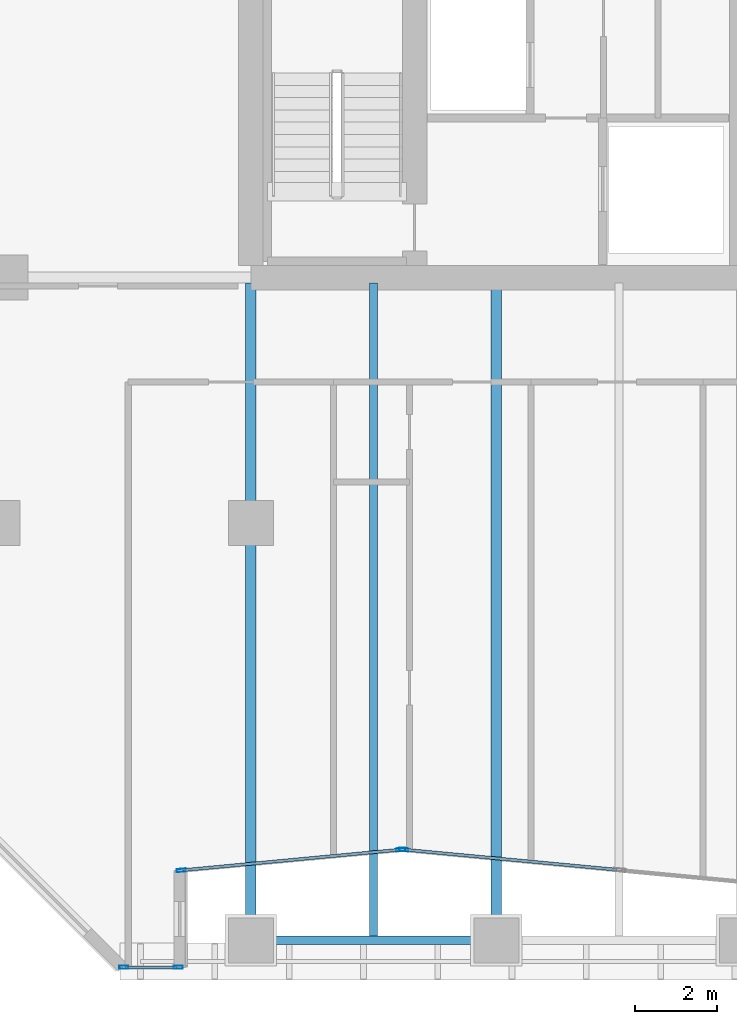
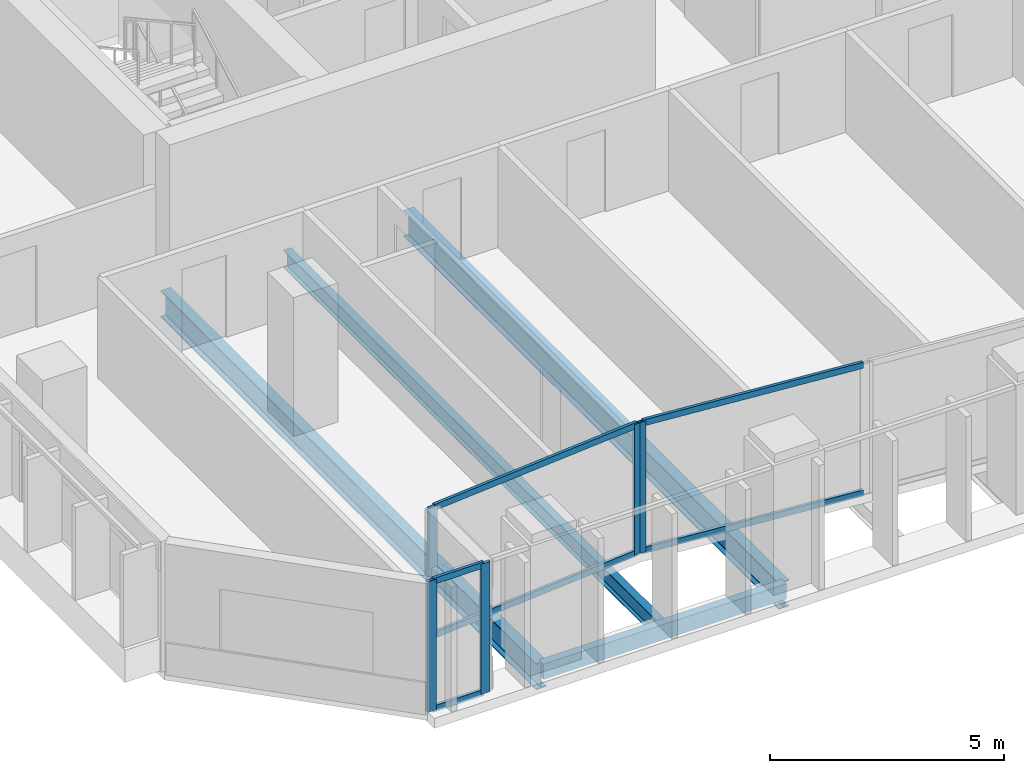
# One storey, part 2 of 32: 11 members, 4 beams, 3 elements without a shape of their own.
"""IFC4 building model written with IfcOpenShell, lengths in metres."""

from ifc_helpers import new_model, si_unit, direction, frame, origin, origin_2d, place, context, subcontext, project, spatial, hollow_rectangle, i_section, extrude, material, layer, layer_set, material_profile, profile_set, type_object, element, aggregate, save


model = new_model("IFC4")

# Units and contexts
model_context = context("Model", 3, precision=1e-05, world=origin(), true_north=direction((0.0, 1.0)))
body_context = subcontext(model_context, "Body", "Model", "MODEL_VIEW")
ifc_project = project(units=[si_unit("LENGTHUNIT", "METRE"), si_unit("AREAUNIT", "SQUARE_METRE"), si_unit("VOLUMEUNIT", "CUBIC_METRE"), si_unit("PLANEANGLEUNIT", "RADIAN"), si_unit("MASSUNIT", "GRAM", prefix="KILO")], contexts=[model_context])

# Site, building, storey
site_placement = place(None, origin())
site = spatial("IfcSite", under=ifc_project, at=site_placement, CompositionType="ELEMENT")
building_placement = place(site_placement, origin())
building = spatial("IfcBuilding", under=site, at=building_placement, Name="Tanjung Sevakor Pilgrim Tower", CompositionType="ELEMENT")
storey_placement = place(building_placement, frame((0.0, 0.0, 62.3701171875)))
storey = spatial("IfcBuildingStorey", under=building, at=storey_placement, Name="L17", CompositionType="ELEMENT", Elevation=62.3701171875)

# Beams
ifc_material_1 = material(Name="Steel S355J2", Category="steel")
ifc_material_profile_1 = material_profile(ifc_material_1, i_section(OverallWidth=0.25439453125, OverallDepth=0.6875, WebThickness=0.01318359375, FlangeThickness=0.02099609375, FilletRadius=0.01513671875, at=origin_2d()))
ifc_profile_set_1 = profile_set([ifc_material_profile_1], Name="Steel S355J2")
beam_type_1 = type_object("IfcBeamType", Name="BM-B-G2-UB_686x254x152", PredefinedType="BEAM", material=ifc_profile_set_1)
for number, where, z_axis, x_axis, name in (
    (1, (24.0, 8.39990234375, -0.56396484375), (0.0, 1.0, 0.0), (-1.0, 0.0, 0.0), "L17 MAIN Girder 001"),
    (2, (30.0, 8.39990234375, -0.56396484375), (0.0, 1.0, 0.0), (-1.0, 0.0, 0.0), "L17 MAIN Girder 005"),
):
    element("IfcBeam", number, at=place(storey_placement, frame(where, z_axis=z_axis, x_axis=x_axis)), inside=storey, type_object=beam_type_1, Name=name, PredefinedType="BEAM", context=body_context, shape_type="SweptSolid", body=[
        extrude(i_section(OverallWidth=0.25439453125, OverallDepth=0.6875, WebThickness=0.01318359375, FlangeThickness=0.02099609375, FilletRadius=0.01513671875, at=origin_2d()), origin(), (0.0, 0.0, 1.0), 16.066162109375),
    ])
ifc_material_2 = material(Name="Steel S355J2", Category="steel")
ifc_material_profile_2 = material_profile(ifc_material_2, i_section(OverallWidth=0.19140625, OverallDepth=0.4599609375, WebThickness=0.010009765625, FlangeThickness=0.01611328125, FilletRadius=0.01025390625, at=origin_2d()))
ifc_profile_set_2 = profile_set([ifc_material_profile_2], Name="Steel S355J2")
beam_type_2 = type_object("IfcBeamType", Name="BM-B-J2-UB_457x191x82", PredefinedType="JOIST", material=ifc_profile_set_2)
beam_1_placement = place(storey_placement, frame((27.0, 8.5, -0.4501953125), z_axis=(0.0, 1.0, 0.0), x_axis=(-1.0, 0.0, 0.0)))
element("IfcBeam", 3, at=beam_1_placement, inside=storey, type_object=beam_type_2, Name="L17 MAIN Joist 003", PredefinedType="JOIST", context=body_context, shape_type="SweptSolid", body=[
    extrude(i_section(OverallWidth=0.19140625, OverallDepth=0.4599609375, WebThickness=0.010009765625, FlangeThickness=0.01611328125, FilletRadius=0.01025390625, at=origin_2d()), origin(), (0.0, 0.0, 1.0), 15.966064453125),
])
ifc_material_3 = material(Name="Steel S355J2", Category="steel")
ifc_material_profile_3 = material_profile(ifc_material_3, hollow_rectangle(XDim=0.199951171875, YDim=0.39990234375, WallThickness=0.01611328125, at=origin_2d()))
ifc_profile_set_3 = profile_set([ifc_material_profile_3], Name="Steel S355J2")
beam_type_3 = type_object("IfcBeamType", Name="BM-B-SP2-RHS_400x200x16", PredefinedType="SPANDREL", material=ifc_profile_set_3)
beam_2_placement = place(storey_placement, frame((24.0, 8.39990234375, -0.420166015625), z_axis=(1.0, 0.0, 0.0), x_axis=(0.0, 1.0, 0.0)))
element("IfcBeam", 4, at=beam_2_placement, inside=storey, type_object=beam_type_3, Name="L17 Spandrel MAIN S-01", PredefinedType="SPANDREL", context=body_context, shape_type="SweptSolid", body=[
    extrude(hollow_rectangle(XDim=0.199951171875, YDim=0.39990234375, WallThickness=0.01611328125, at=origin_2d()), origin(), (0.0, 0.0, 1.0), 6.0),
])

# Curtain wall, members
ifc_material_4 = material(Name="Aluminium 6063-T6 and Low-E Glass", Category="aluminium")
ifc_layer = layer(ifc_material_4, 0.199951171875)
ifc_layer_set = layer_set([ifc_layer], Name="CW-SYS-PRAY")
curtain_wall_type = type_object("IfcCurtainWallType", Name="CW-SYS-PRAY", PredefinedType="NOTDEFINED", material=ifc_layer_set)
curtain_wall_1_placement = place(storey_placement, origin())
curtain_wall_1 = element("IfcCurtainWall", 5, at=curtain_wall_1_placement, inside=storey, type_object=curtain_wall_type, Name="L17 Curtain Wall CW-PRY-L17-0", PredefinedType="NOTDEFINED")
ifc_material_5 = material(Name="Aluminium 6063-T6", Category="aluminium")
ifc_material_profile_4 = material_profile(ifc_material_5, hollow_rectangle(XDim=0.074951171875, YDim=0.219970703125, WallThickness=0.0048828125, at=origin_2d()))
ifc_profile_set_4 = profile_set([ifc_material_profile_4], Name="Aluminium 6063-T6")
member_type_1 = type_object("IfcMemberType", Name="TYPE-CWM-2", PredefinedType="MULLION", material=ifc_profile_set_4)
member_1_placement = place(storey_placement, frame((20.8955078125, 7.739990234375, 0.0), z_axis=(0.0, 0.0, 1.0), x_axis=(0.0, 1.0, 0.0)))
member_1 = element("IfcMember", 6, at=member_1_placement, type_object=member_type_1, Name="CW-PRY mullion 1", PredefinedType="MULLION", context=body_context, shape_type="SweptSolid", body=[
    extrude(hollow_rectangle(XDim=0.074951171875, YDim=0.219970703125, WallThickness=0.0048828125, at=origin_2d()), origin(), (0.0, 0.0, 1.0), 3.409912109375),
])
member_2_placement = place(storey_placement, frame((22.222412109375, 7.739990234375, 0.0), z_axis=(0.0, 0.0, 1.0), x_axis=(0.0, 1.0, 0.0)))
member_2 = element("IfcMember", 7, at=member_2_placement, type_object=member_type_1, Name="CW-PRY mullion 2", PredefinedType="MULLION", context=body_context, shape_type="SweptSolid", body=[
    extrude(hollow_rectangle(XDim=0.074951171875, YDim=0.219970703125, WallThickness=0.0048828125, at=origin_2d()), origin(), (0.0, 0.0, 1.0), 3.409912109375),
])

curtain_wall_2_placement = place(storey_placement, origin())
curtain_wall_2 = element("IfcCurtainWall", 8, at=curtain_wall_2_placement, inside=storey, type_object=curtain_wall_type, Name="L17 Curtain Wall CW-PRY-L17-2", PredefinedType="NOTDEFINED")
member_3_placement = place(storey_placement, frame((22.29736328125, 10.11083984375, 0.0), z_axis=(0.0, 0.0, 1.0), x_axis=(-0.093921225565, 0.995579631867, 0.0)))
member_3 = element("IfcMember", 9, at=member_3_placement, type_object=member_type_1, Name="CW-PRY mullion 1", PredefinedType="MULLION", context=body_context, shape_type="SweptSolid", body=[
    extrude(hollow_rectangle(XDim=0.074951171875, YDim=0.219970703125, WallThickness=0.0048828125, at=origin_2d()), origin(), (0.0, 0.0, 1.0), 3.409912109375),
])
member_4_placement = place(storey_placement, frame((27.66259765625, 10.6171875, 0.0), z_axis=(0.0, 0.0, 1.0), x_axis=(-0.093921225565, 0.995579631867, 0.0)))
member_4 = element("IfcMember", 10, at=member_4_placement, type_object=member_type_1, Name="CW-PRY mullion 2", PredefinedType="MULLION", context=body_context, shape_type="SweptSolid", body=[
    extrude(hollow_rectangle(XDim=0.074951171875, YDim=0.219970703125, WallThickness=0.0048828125, at=origin_2d()), origin(), (0.0, 0.0, 1.0), 3.409912109375),
])

# Curtain wall, member
curtain_wall_3_placement = place(storey_placement, origin())
curtain_wall_3 = element("IfcCurtainWall", 11, at=curtain_wall_3_placement, inside=storey, type_object=curtain_wall_type, Name="L17 Curtain Wall CW-PRY-L17-3", PredefinedType="NOTDEFINED")
member_5_placement = place(storey_placement, frame((27.7373046875, 10.6171875, 0.0), z_axis=(0.0, 0.0, 1.0), x_axis=(0.09391593637, 0.995580130826, 0.0)))
member_5 = element("IfcMember", 12, at=member_5_placement, type_object=member_type_1, Name="CW-PRY mullion 1", PredefinedType="MULLION", context=body_context, shape_type="SweptSolid", body=[
    extrude(hollow_rectangle(XDim=0.074951171875, YDim=0.219970703125, WallThickness=0.0048828125, at=origin_2d()), origin(), (0.0, 0.0, 1.0), 3.409912109375),
])

# Member
ifc_material_6 = material(Name="Aluminium 6063-T6", Category="aluminium")
ifc_material_profile_5 = material_profile(ifc_material_6, hollow_rectangle(XDim=0.074951171875, YDim=0.159912109375, WallThickness=0.00439453125, at=origin_2d()))
ifc_profile_set_5 = profile_set([ifc_material_profile_5], Name="Aluminium 6063-T6")
member_type_2 = type_object("IfcMemberType", Name="TYPE-CWT-2", PredefinedType="USERDEFINED", material=ifc_profile_set_5)
member_6_placement = place(storey_placement, frame((20.93310546875, 7.739990234375, 0.037353515625), z_axis=(1.0, 0.0, 0.0), x_axis=(0.0, 1.0, 0.0)))
member_6 = element("IfcMember", 13, at=member_6_placement, type_object=member_type_2, Name="CW-PRY transom 1.1", ObjectType="TRANSOM", PredefinedType="USERDEFINED", context=body_context, shape_type="SweptSolid", body=[
    extrude(hollow_rectangle(XDim=0.074951171875, YDim=0.159912109375, WallThickness=0.00439453125, at=origin_2d()), origin(), (0.0, 0.0, 1.0), 1.251953125),
])

member_7_placement = place(storey_placement, frame((20.93310546875, 7.739990234375, 3.372314453125), z_axis=(1.0, 0.0, 0.0), x_axis=(0.0, 1.0, 0.0)))
member_7 = element("IfcMember", 14, at=member_7_placement, type_object=member_type_2, Name="CW-PRY transom 1.2", ObjectType="TRANSOM", PredefinedType="USERDEFINED", context=body_context, shape_type="SweptSolid", body=[
    extrude(hollow_rectangle(XDim=0.074951171875, YDim=0.159912109375, WallThickness=0.00439453125, at=origin_2d()), origin(), (0.0, 0.0, 1.0), 1.251953125),
])

aggregate(curtain_wall_1, [member_1, member_2, member_6, member_7])

member_8_placement = place(storey_placement, frame((22.334716796875, 10.114501953125, 0.037353515625), z_axis=(0.995580961611, 0.093907129005, 0.0), x_axis=(-0.093907129005, 0.995580961611, 0.0)))
member_8 = element("IfcMember", 15, at=member_8_placement, type_object=member_type_2, Name="CW-PRY transom 1.1", ObjectType="TRANSOM", PredefinedType="USERDEFINED", context=body_context, shape_type="SweptSolid", body=[
    extrude(hollow_rectangle(XDim=0.074951171875, YDim=0.159912109375, WallThickness=0.00439453125, at=origin_2d()), origin(), (0.0, 0.0, 1.0), 5.31396484375),
])

member_9_placement = place(storey_placement, frame((22.334716796875, 10.114501953125, 3.372314453125), z_axis=(0.995580961611, 0.093907129005, 0.0), x_axis=(-0.093907129005, 0.995580961611, 0.0)))
member_9 = element("IfcMember", 16, at=member_9_placement, type_object=member_type_2, Name="CW-PRY transom 1.2", ObjectType="TRANSOM", PredefinedType="USERDEFINED", context=body_context, shape_type="SweptSolid", body=[
    extrude(hollow_rectangle(XDim=0.074951171875, YDim=0.159912109375, WallThickness=0.00439453125, at=origin_2d()), origin(), (0.0, 0.0, 1.0), 5.31396484375),
])

aggregate(curtain_wall_2, [member_3, member_4, member_8, member_9])

member_10_placement = place(storey_placement, frame((27.774658203125, 10.613525390625, 0.037353515625), z_axis=(0.995581163468, -0.093904988942, 0.0), x_axis=(0.093904988942, 0.995581163468, 0.0)))
member_10 = element("IfcMember", 17, at=member_10_placement, type_object=member_type_2, Name="CW-PRY transom 1.1", ObjectType="TRANSOM", PredefinedType="USERDEFINED", context=body_context, shape_type="SweptSolid", body=[
    extrude(hollow_rectangle(XDim=0.074951171875, YDim=0.159912109375, WallThickness=0.00439453125, at=origin_2d()), origin(), (0.0, 0.0, 1.0), 5.186767578125),
])

member_11_placement = place(storey_placement, frame((27.774658203125, 10.613525390625, 3.372314453125), z_axis=(0.995581163468, -0.093904988942, 0.0), x_axis=(0.093904988942, 0.995581163468, 0.0)))
member_11 = element("IfcMember", 18, at=member_11_placement, type_object=member_type_2, Name="CW-PRY transom 1.2", ObjectType="TRANSOM", PredefinedType="USERDEFINED", context=body_context, shape_type="SweptSolid", body=[
    extrude(hollow_rectangle(XDim=0.074951171875, YDim=0.159912109375, WallThickness=0.00439453125, at=origin_2d()), origin(), (0.0, 0.0, 1.0), 5.186767578125),
])

aggregate(curtain_wall_3, [member_5, member_10, member_11])

save(model, "model.ifc")
